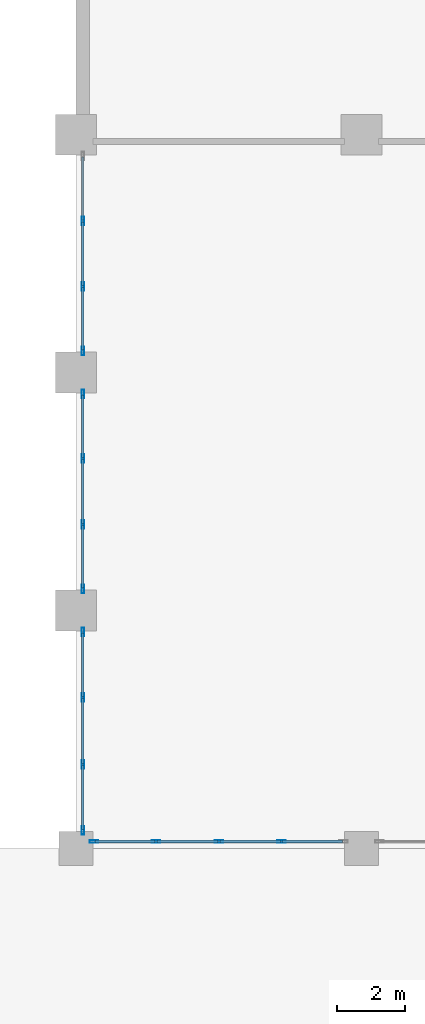
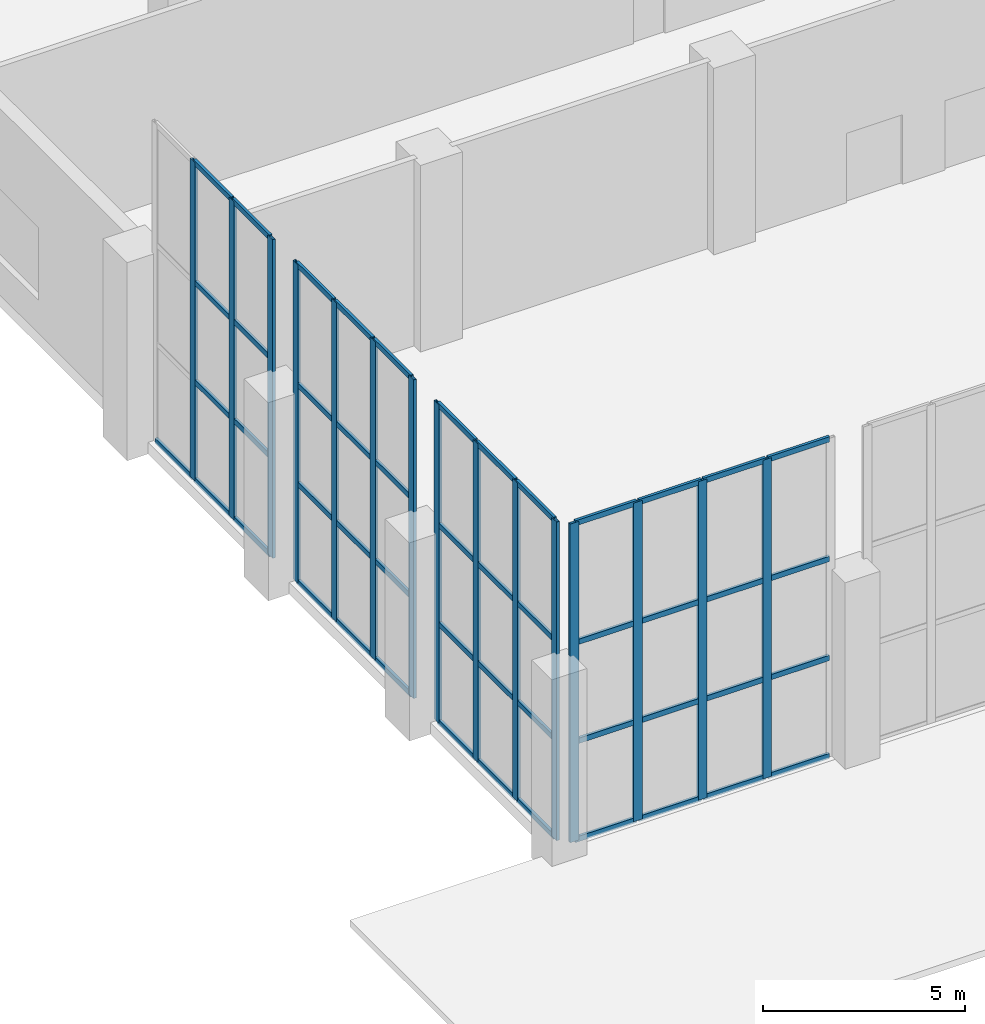
# One storey, part 3 of 25: 64 members, 4 elements without a shape of their own.
"""IFC4 building model written with IfcOpenShell, lengths in metres."""

from ifc_helpers import new_model, si_unit, direction, frame, origin, origin_2d, place, context, subcontext, project, spatial, hollow_rectangle, extrude, material, material_profile, profile_set, type_object, element, aggregate, save


model = new_model("IFC4")

# Units and contexts
model_context = context("Model", 3, precision=1e-05, world=origin(), true_north=direction((0.0, 1.0)))
body_context = subcontext(model_context, "Body", "Model", "MODEL_VIEW")
ifc_project = project(units=[si_unit("LENGTHUNIT", "METRE"), si_unit("AREAUNIT", "SQUARE_METRE"), si_unit("VOLUMEUNIT", "CUBIC_METRE"), si_unit("PLANEANGLEUNIT", "RADIAN"), si_unit("MASSUNIT", "GRAM", prefix="KILO")], contexts=[model_context])

# Site, building, storey
site_placement = place(None, origin())
site = spatial("IfcSite", under=ifc_project, at=site_placement, CompositionType="ELEMENT")
building_placement = place(site_placement, origin())
building = spatial("IfcBuilding", under=site, at=building_placement, Name="Ostrander Bayou Hotel Tower", CompositionType="ELEMENT")
storey_placement = place(building_placement, origin())
storey = spatial("IfcBuildingStorey", under=building, at=storey_placement, Name="L00", CompositionType="ELEMENT", Elevation=0.0)

# Curtain wall, members
ifc_material_1 = material(Name="Aluminium and clear glass", Category="aluminium")
curtain_wall_type = type_object("IfcCurtainWallType", Name="CW-BALL glazed wall", PredefinedType="NOTDEFINED", material=ifc_material_1)
curtain_wall_1_placement = place(storey_placement, origin())
curtain_wall_1 = element("IfcCurtainWall", 1, at=curtain_wall_1_placement, inside=storey, type_object=curtain_wall_type, Name="CW-BALL L00:8", PredefinedType="NOTDEFINED")
ifc_material_2 = material(Name="Aluminium", Category="aluminium")
ifc_material_profile_1 = material_profile(ifc_material_2, hollow_rectangle(XDim=0.080078125, YDim=0.25, WallThickness=0.00390625, at=origin_2d()))
ifc_profile_set_1 = profile_set([ifc_material_profile_1], Name="Aluminium")
member_type_1 = type_object("IfcMemberType", Name="CW-BL mullion 80 x 250 mm", PredefinedType="MULLION", material=ifc_profile_set_1)
member_1_placement = place(storey_placement, frame((-35.949951171875, -50.199951171875, 0.0), z_axis=(0.0, 0.0, 1.0), x_axis=(0.0, -1.0, 0.0)))
member_1 = element("IfcMember", 2, at=member_1_placement, type_object=member_type_1, Name="CW-BALL mullion 2", PredefinedType="MULLION", context=body_context, shape_type="SweptSolid", body=[
    extrude(hollow_rectangle(XDim=0.080078125, YDim=0.25, WallThickness=0.00390625, at=origin_2d()), origin(), (0.0, 0.0, 1.0), 9.64990234375),
])
member_2_placement = place(storey_placement, frame((-37.800048828125, -50.199951171875, 0.0), z_axis=(0.0, 0.0, 1.0), x_axis=(0.0, -1.0, 0.0)))
member_2 = element("IfcMember", 3, at=member_2_placement, type_object=member_type_1, Name="CW-BALL mullion 3", PredefinedType="MULLION", context=body_context, shape_type="SweptSolid", body=[
    extrude(hollow_rectangle(XDim=0.080078125, YDim=0.25, WallThickness=0.00390625, at=origin_2d()), origin(), (0.0, 0.0, 1.0), 9.64990234375),
])
member_3_placement = place(storey_placement, frame((-39.64990234375, -50.199951171875, 0.0), z_axis=(0.0, 0.0, 1.0), x_axis=(0.0, -1.0, 0.0)))
member_3 = element("IfcMember", 4, at=member_3_placement, type_object=member_type_1, Name="CW-BALL mullion 4", PredefinedType="MULLION", context=body_context, shape_type="SweptSolid", body=[
    extrude(hollow_rectangle(XDim=0.080078125, YDim=0.25, WallThickness=0.00390625, at=origin_2d()), origin(), (0.0, 0.0, 1.0), 9.64990234375),
])
member_4_placement = place(storey_placement, frame((-41.469970703125, -50.199951171875, 0.0), z_axis=(0.0, 0.0, 1.0), x_axis=(0.0, -1.0, 0.0)))
member_4 = element("IfcMember", 5, at=member_4_placement, type_object=member_type_1, Name="CW-BALL mullion 5", PredefinedType="MULLION", context=body_context, shape_type="SweptSolid", body=[
    extrude(hollow_rectangle(XDim=0.080078125, YDim=0.25, WallThickness=0.00390625, at=origin_2d()), origin(), (0.0, 0.0, 1.0), 9.64990234375),
])

curtain_wall_2_placement = place(storey_placement, origin())
curtain_wall_2 = element("IfcCurtainWall", 6, at=curtain_wall_2_placement, inside=storey, type_object=curtain_wall_type, Name="CW-BALL L00:29", PredefinedType="NOTDEFINED")
member_5_placement = place(storey_placement, frame((-41.800048828125, -49.8701171875, 0.0), z_axis=(0.0, 0.0, 1.0), x_axis=(-1.0, 0.0, 0.0)))
member_5 = element("IfcMember", 7, at=member_5_placement, type_object=member_type_1, Name="CW-BALL mullion 1", PredefinedType="MULLION", context=body_context, shape_type="SweptSolid", body=[
    extrude(hollow_rectangle(XDim=0.080078125, YDim=0.25, WallThickness=0.00390625, at=origin_2d()), origin(), (0.0, 0.0, 1.0), 9.64990234375),
])
member_6_placement = place(storey_placement, frame((-41.800048828125, -47.933349609375, 0.0), z_axis=(0.0, 0.0, 1.0), x_axis=(-1.0, 0.0, 0.0)))
member_6 = element("IfcMember", 8, at=member_6_placement, type_object=member_type_1, Name="CW-BALL mullion 2", PredefinedType="MULLION", context=body_context, shape_type="SweptSolid", body=[
    extrude(hollow_rectangle(XDim=0.080078125, YDim=0.25, WallThickness=0.00390625, at=origin_2d()), origin(), (0.0, 0.0, 1.0), 9.64990234375),
])
member_7_placement = place(storey_placement, frame((-41.800048828125, -45.966552734375, 0.0), z_axis=(0.0, 0.0, 1.0), x_axis=(-1.0, 0.0, 0.0)))
member_7 = element("IfcMember", 9, at=member_7_placement, type_object=member_type_1, Name="CW-BALL mullion 3", PredefinedType="MULLION", context=body_context, shape_type="SweptSolid", body=[
    extrude(hollow_rectangle(XDim=0.080078125, YDim=0.25, WallThickness=0.00390625, at=origin_2d()), origin(), (0.0, 0.0, 1.0), 9.64990234375),
])
member_8_placement = place(storey_placement, frame((-41.800048828125, -44.030029296875, 0.0), z_axis=(0.0, 0.0, 1.0), x_axis=(-1.0, 0.0, 0.0)))
member_8 = element("IfcMember", 10, at=member_8_placement, type_object=member_type_1, Name="CW-BALL mullion 4", PredefinedType="MULLION", context=body_context, shape_type="SweptSolid", body=[
    extrude(hollow_rectangle(XDim=0.080078125, YDim=0.25, WallThickness=0.00390625, at=origin_2d()), origin(), (0.0, 0.0, 1.0), 9.64990234375),
])

curtain_wall_3_placement = place(storey_placement, origin())
curtain_wall_3 = element("IfcCurtainWall", 11, at=curtain_wall_3_placement, inside=storey, type_object=curtain_wall_type, Name="CW-BALL L00:30", PredefinedType="NOTDEFINED")
member_9_placement = place(storey_placement, frame((-41.800048828125, -42.77001953125, 0.0), z_axis=(0.0, 0.0, 1.0), x_axis=(-1.0, 0.0, 0.0)))
member_9 = element("IfcMember", 12, at=member_9_placement, type_object=member_type_1, Name="CW-BALL mullion 1", PredefinedType="MULLION", context=body_context, shape_type="SweptSolid", body=[
    extrude(hollow_rectangle(XDim=0.080078125, YDim=0.25, WallThickness=0.00390625, at=origin_2d()), origin(), (0.0, 0.0, 1.0), 9.64990234375),
])
member_10_placement = place(storey_placement, frame((-41.800048828125, -40.86669921875, 0.0), z_axis=(0.0, 0.0, 1.0), x_axis=(-1.0, 0.0, 0.0)))
member_10 = element("IfcMember", 13, at=member_10_placement, type_object=member_type_1, Name="CW-BALL mullion 2", PredefinedType="MULLION", context=body_context, shape_type="SweptSolid", body=[
    extrude(hollow_rectangle(XDim=0.080078125, YDim=0.25, WallThickness=0.00390625, at=origin_2d()), origin(), (0.0, 0.0, 1.0), 9.64990234375),
])
member_11_placement = place(storey_placement, frame((-41.800048828125, -38.933349609375, 0.0), z_axis=(0.0, 0.0, 1.0), x_axis=(-1.0, 0.0, 0.0)))
member_11 = element("IfcMember", 14, at=member_11_placement, type_object=member_type_1, Name="CW-BALL mullion 3", PredefinedType="MULLION", context=body_context, shape_type="SweptSolid", body=[
    extrude(hollow_rectangle(XDim=0.080078125, YDim=0.25, WallThickness=0.00390625, at=origin_2d()), origin(), (0.0, 0.0, 1.0), 9.64990234375),
])
member_12_placement = place(storey_placement, frame((-41.800048828125, -37.030029296875, 0.0), z_axis=(0.0, 0.0, 1.0), x_axis=(-1.0, 0.0, 0.0)))
member_12 = element("IfcMember", 15, at=member_12_placement, type_object=member_type_1, Name="CW-BALL mullion 4", PredefinedType="MULLION", context=body_context, shape_type="SweptSolid", body=[
    extrude(hollow_rectangle(XDim=0.080078125, YDim=0.25, WallThickness=0.00390625, at=origin_2d()), origin(), (0.0, 0.0, 1.0), 9.64990234375),
])

curtain_wall_4_placement = place(storey_placement, origin())
curtain_wall_4 = element("IfcCurtainWall", 16, at=curtain_wall_4_placement, inside=storey, type_object=curtain_wall_type, Name="CW-BALL L00:31", PredefinedType="NOTDEFINED")
member_13_placement = place(storey_placement, frame((-41.800048828125, -35.77001953125, 0.0), z_axis=(0.0, 0.0, 1.0), x_axis=(-1.0, 0.0, 0.0)))
member_13 = element("IfcMember", 17, at=member_13_placement, type_object=member_type_1, Name="CW-BALL mullion 1", PredefinedType="MULLION", context=body_context, shape_type="SweptSolid", body=[
    extrude(hollow_rectangle(XDim=0.080078125, YDim=0.25, WallThickness=0.00390625, at=origin_2d()), origin(), (0.0, 0.0, 1.0), 9.64990234375),
])
member_14_placement = place(storey_placement, frame((-41.800048828125, -33.86669921875, 0.0), z_axis=(0.0, 0.0, 1.0), x_axis=(-1.0, 0.0, 0.0)))
member_14 = element("IfcMember", 18, at=member_14_placement, type_object=member_type_1, Name="CW-BALL mullion 2", PredefinedType="MULLION", context=body_context, shape_type="SweptSolid", body=[
    extrude(hollow_rectangle(XDim=0.080078125, YDim=0.25, WallThickness=0.00390625, at=origin_2d()), origin(), (0.0, 0.0, 1.0), 9.64990234375),
])
member_15_placement = place(storey_placement, frame((-41.800048828125, -31.933349609375, 0.0), z_axis=(0.0, 0.0, 1.0), x_axis=(-1.0, 0.0, 0.0)))
member_15 = element("IfcMember", 19, at=member_15_placement, type_object=member_type_1, Name="CW-BALL mullion 3", PredefinedType="MULLION", context=body_context, shape_type="SweptSolid", body=[
    extrude(hollow_rectangle(XDim=0.080078125, YDim=0.25, WallThickness=0.00390625, at=origin_2d()), origin(), (0.0, 0.0, 1.0), 9.64990234375),
])

# Member
ifc_material_3 = material(Name="Aluminium", Category="aluminium")
ifc_material_profile_2 = material_profile(ifc_material_3, hollow_rectangle(XDim=0.080078125, YDim=0.159912109375, WallThickness=0.00390625, at=origin_2d()))
ifc_profile_set_2 = profile_set([ifc_material_profile_2], Name="Aluminium")
member_type_2 = type_object("IfcMemberType", Name="CW-BL transom 80 x 160 mm", PredefinedType="USERDEFINED", material=ifc_profile_set_2)
member_16_placement = place(storey_placement, frame((-34.159912109375, -50.199951171875, 0.030029296875), z_axis=(-1.0, 0.0, 0.0), x_axis=(0.0, -1.0, 0.0)))
member_16 = element("IfcMember", 20, at=member_16_placement, type_object=member_type_2, Name="CW-BALL transom 1.1", ObjectType="TRANSOM", PredefinedType="USERDEFINED", context=body_context, shape_type="SweptSolid", body=[
    extrude(hollow_rectangle(XDim=0.080078125, YDim=0.159912109375, WallThickness=0.00390625, at=origin_2d()), origin(), (0.0, 0.0, 1.0), 1.760009765625),
])

member_17_placement = place(storey_placement, frame((-34.159912109375, -50.199951171875, 3.0), z_axis=(-1.0, 0.0, 0.0), x_axis=(0.0, -1.0, 0.0)))
member_17 = element("IfcMember", 21, at=member_17_placement, type_object=member_type_2, Name="CW-BALL transom 1.2", ObjectType="TRANSOM", PredefinedType="USERDEFINED", context=body_context, shape_type="SweptSolid", body=[
    extrude(hollow_rectangle(XDim=0.080078125, YDim=0.159912109375, WallThickness=0.00390625, at=origin_2d()), origin(), (0.0, 0.0, 1.0), 1.760009765625),
])

member_18_placement = place(storey_placement, frame((-34.159912109375, -50.199951171875, 6.0), z_axis=(-1.0, 0.0, 0.0), x_axis=(0.0, -1.0, 0.0)))
member_18 = element("IfcMember", 22, at=member_18_placement, type_object=member_type_2, Name="CW-BALL transom 1.3", ObjectType="TRANSOM", PredefinedType="USERDEFINED", context=body_context, shape_type="SweptSolid", body=[
    extrude(hollow_rectangle(XDim=0.080078125, YDim=0.159912109375, WallThickness=0.00390625, at=origin_2d()), origin(), (0.0, 0.0, 1.0), 1.760009765625),
])

member_19_placement = place(storey_placement, frame((-34.159912109375, -50.199951171875, 9.6201171875), z_axis=(-1.0, 0.0, 0.0), x_axis=(0.0, -1.0, 0.0)))
member_19 = element("IfcMember", 23, at=member_19_placement, type_object=member_type_2, Name="CW-BALL transom 1.4", ObjectType="TRANSOM", PredefinedType="USERDEFINED", context=body_context, shape_type="SweptSolid", body=[
    extrude(hollow_rectangle(XDim=0.080078125, YDim=0.159912109375, WallThickness=0.00390625, at=origin_2d()), origin(), (0.0, 0.0, 1.0), 1.760009765625),
])

member_20_placement = place(storey_placement, frame((-35.97998046875, -50.199951171875, 0.030029296875), z_axis=(-1.0, 0.0, 0.0), x_axis=(0.0, -1.0, 0.0)))
member_20 = element("IfcMember", 24, at=member_20_placement, type_object=member_type_2, Name="CW-BALL transom 2.1", ObjectType="TRANSOM", PredefinedType="USERDEFINED", context=body_context, shape_type="SweptSolid", body=[
    extrude(hollow_rectangle(XDim=0.080078125, YDim=0.159912109375, WallThickness=0.00390625, at=origin_2d()), origin(), (0.0, 0.0, 1.0), 1.7900390625),
])

member_21_placement = place(storey_placement, frame((-35.97998046875, -50.199951171875, 3.0), z_axis=(-1.0, 0.0, 0.0), x_axis=(0.0, -1.0, 0.0)))
member_21 = element("IfcMember", 25, at=member_21_placement, type_object=member_type_2, Name="CW-BALL transom 2.2", ObjectType="TRANSOM", PredefinedType="USERDEFINED", context=body_context, shape_type="SweptSolid", body=[
    extrude(hollow_rectangle(XDim=0.080078125, YDim=0.159912109375, WallThickness=0.00390625, at=origin_2d()), origin(), (0.0, 0.0, 1.0), 1.7900390625),
])

member_22_placement = place(storey_placement, frame((-35.97998046875, -50.199951171875, 6.0), z_axis=(-1.0, 0.0, 0.0), x_axis=(0.0, -1.0, 0.0)))
member_22 = element("IfcMember", 26, at=member_22_placement, type_object=member_type_2, Name="CW-BALL transom 2.3", ObjectType="TRANSOM", PredefinedType="USERDEFINED", context=body_context, shape_type="SweptSolid", body=[
    extrude(hollow_rectangle(XDim=0.080078125, YDim=0.159912109375, WallThickness=0.00390625, at=origin_2d()), origin(), (0.0, 0.0, 1.0), 1.7900390625),
])

member_23_placement = place(storey_placement, frame((-35.97998046875, -50.199951171875, 9.6201171875), z_axis=(-1.0, 0.0, 0.0), x_axis=(0.0, -1.0, 0.0)))
member_23 = element("IfcMember", 27, at=member_23_placement, type_object=member_type_2, Name="CW-BALL transom 2.4", ObjectType="TRANSOM", PredefinedType="USERDEFINED", context=body_context, shape_type="SweptSolid", body=[
    extrude(hollow_rectangle(XDim=0.080078125, YDim=0.159912109375, WallThickness=0.00390625, at=origin_2d()), origin(), (0.0, 0.0, 1.0), 1.7900390625),
])

member_24_placement = place(storey_placement, frame((-37.830078125, -50.199951171875, 0.030029296875), z_axis=(-1.0, 0.0, 0.0), x_axis=(0.0, -1.0, 0.0)))
member_24 = element("IfcMember", 28, at=member_24_placement, type_object=member_type_2, Name="CW-BALL transom 3.1", ObjectType="TRANSOM", PredefinedType="USERDEFINED", context=body_context, shape_type="SweptSolid", body=[
    extrude(hollow_rectangle(XDim=0.080078125, YDim=0.159912109375, WallThickness=0.00390625, at=origin_2d()), origin(), (0.0, 0.0, 1.0), 1.7900390625),
])

member_25_placement = place(storey_placement, frame((-37.830078125, -50.199951171875, 3.0), z_axis=(-1.0, 0.0, 0.0), x_axis=(0.0, -1.0, 0.0)))
member_25 = element("IfcMember", 29, at=member_25_placement, type_object=member_type_2, Name="CW-BALL transom 3.2", ObjectType="TRANSOM", PredefinedType="USERDEFINED", context=body_context, shape_type="SweptSolid", body=[
    extrude(hollow_rectangle(XDim=0.080078125, YDim=0.159912109375, WallThickness=0.00390625, at=origin_2d()), origin(), (0.0, 0.0, 1.0), 1.7900390625),
])

member_26_placement = place(storey_placement, frame((-37.830078125, -50.199951171875, 6.0), z_axis=(-1.0, 0.0, 0.0), x_axis=(0.0, -1.0, 0.0)))
member_26 = element("IfcMember", 30, at=member_26_placement, type_object=member_type_2, Name="CW-BALL transom 3.3", ObjectType="TRANSOM", PredefinedType="USERDEFINED", context=body_context, shape_type="SweptSolid", body=[
    extrude(hollow_rectangle(XDim=0.080078125, YDim=0.159912109375, WallThickness=0.00390625, at=origin_2d()), origin(), (0.0, 0.0, 1.0), 1.7900390625),
])

member_27_placement = place(storey_placement, frame((-37.830078125, -50.199951171875, 9.6201171875), z_axis=(-1.0, 0.0, 0.0), x_axis=(0.0, -1.0, 0.0)))
member_27 = element("IfcMember", 31, at=member_27_placement, type_object=member_type_2, Name="CW-BALL transom 3.4", ObjectType="TRANSOM", PredefinedType="USERDEFINED", context=body_context, shape_type="SweptSolid", body=[
    extrude(hollow_rectangle(XDim=0.080078125, YDim=0.159912109375, WallThickness=0.00390625, at=origin_2d()), origin(), (0.0, 0.0, 1.0), 1.7900390625),
])

member_28_placement = place(storey_placement, frame((-39.679931640625, -50.199951171875, 0.030029296875), z_axis=(-1.0, 0.0, 0.0), x_axis=(0.0, -1.0, 0.0)))
member_28 = element("IfcMember", 32, at=member_28_placement, type_object=member_type_2, Name="CW-BALL transom 4.1", ObjectType="TRANSOM", PredefinedType="USERDEFINED", context=body_context, shape_type="SweptSolid", body=[
    extrude(hollow_rectangle(XDim=0.080078125, YDim=0.159912109375, WallThickness=0.00390625, at=origin_2d()), origin(), (0.0, 0.0, 1.0), 1.760009765625),
])

member_29_placement = place(storey_placement, frame((-39.679931640625, -50.199951171875, 3.0), z_axis=(-1.0, 0.0, 0.0), x_axis=(0.0, -1.0, 0.0)))
member_29 = element("IfcMember", 33, at=member_29_placement, type_object=member_type_2, Name="CW-BALL transom 4.2", ObjectType="TRANSOM", PredefinedType="USERDEFINED", context=body_context, shape_type="SweptSolid", body=[
    extrude(hollow_rectangle(XDim=0.080078125, YDim=0.159912109375, WallThickness=0.00390625, at=origin_2d()), origin(), (0.0, 0.0, 1.0), 1.760009765625),
])

member_30_placement = place(storey_placement, frame((-39.679931640625, -50.199951171875, 6.0), z_axis=(-1.0, 0.0, 0.0), x_axis=(0.0, -1.0, 0.0)))
member_30 = element("IfcMember", 34, at=member_30_placement, type_object=member_type_2, Name="CW-BALL transom 4.3", ObjectType="TRANSOM", PredefinedType="USERDEFINED", context=body_context, shape_type="SweptSolid", body=[
    extrude(hollow_rectangle(XDim=0.080078125, YDim=0.159912109375, WallThickness=0.00390625, at=origin_2d()), origin(), (0.0, 0.0, 1.0), 1.760009765625),
])

member_31_placement = place(storey_placement, frame((-39.679931640625, -50.199951171875, 9.6201171875), z_axis=(-1.0, 0.0, 0.0), x_axis=(0.0, -1.0, 0.0)))
member_31 = element("IfcMember", 35, at=member_31_placement, type_object=member_type_2, Name="CW-BALL transom 4.4", ObjectType="TRANSOM", PredefinedType="USERDEFINED", context=body_context, shape_type="SweptSolid", body=[
    extrude(hollow_rectangle(XDim=0.080078125, YDim=0.159912109375, WallThickness=0.00390625, at=origin_2d()), origin(), (0.0, 0.0, 1.0), 1.760009765625),
])

aggregate(curtain_wall_1, [member_1, member_2, member_3, member_4, member_16, member_17, member_18, member_19, member_20, member_21, member_22, member_23, member_24, member_25, member_26, member_27, member_28, member_29, member_30, member_31])

member_32_placement = place(storey_placement, frame((-41.800048828125, -49.840087890625, 0.030029296875), z_axis=(0.0, 1.0, 0.0), x_axis=(-1.0, 0.0, 0.0)))
member_32 = element("IfcMember", 36, at=member_32_placement, type_object=member_type_2, Name="CW-BALL transom 1.1", ObjectType="TRANSOM", PredefinedType="USERDEFINED", context=body_context, shape_type="SweptSolid", body=[
    extrude(hollow_rectangle(XDim=0.080078125, YDim=0.159912109375, WallThickness=0.00390625, at=origin_2d()), origin(), (0.0, 0.0, 1.0), 1.876708984375),
])

member_33_placement = place(storey_placement, frame((-41.800048828125, -49.840087890625, 3.0), z_axis=(0.0, 1.0, 0.0), x_axis=(-1.0, 0.0, 0.0)))
member_33 = element("IfcMember", 37, at=member_33_placement, type_object=member_type_2, Name="CW-BALL transom 1.2", ObjectType="TRANSOM", PredefinedType="USERDEFINED", context=body_context, shape_type="SweptSolid", body=[
    extrude(hollow_rectangle(XDim=0.080078125, YDim=0.159912109375, WallThickness=0.00390625, at=origin_2d()), origin(), (0.0, 0.0, 1.0), 1.876708984375),
])

member_34_placement = place(storey_placement, frame((-41.800048828125, -49.840087890625, 6.0), z_axis=(0.0, 1.0, 0.0), x_axis=(-1.0, 0.0, 0.0)))
member_34 = element("IfcMember", 38, at=member_34_placement, type_object=member_type_2, Name="CW-BALL transom 1.3", ObjectType="TRANSOM", PredefinedType="USERDEFINED", context=body_context, shape_type="SweptSolid", body=[
    extrude(hollow_rectangle(XDim=0.080078125, YDim=0.159912109375, WallThickness=0.00390625, at=origin_2d()), origin(), (0.0, 0.0, 1.0), 1.876708984375),
])

member_35_placement = place(storey_placement, frame((-41.800048828125, -49.840087890625, 9.6201171875), z_axis=(0.0, 1.0, 0.0), x_axis=(-1.0, 0.0, 0.0)))
member_35 = element("IfcMember", 39, at=member_35_placement, type_object=member_type_2, Name="CW-BALL transom 1.4", ObjectType="TRANSOM", PredefinedType="USERDEFINED", context=body_context, shape_type="SweptSolid", body=[
    extrude(hollow_rectangle(XDim=0.080078125, YDim=0.159912109375, WallThickness=0.00390625, at=origin_2d()), origin(), (0.0, 0.0, 1.0), 1.876708984375),
])

member_36_placement = place(storey_placement, frame((-41.800048828125, -47.9033203125, 0.030029296875), z_axis=(0.0, 1.0, 0.0), x_axis=(-1.0, 0.0, 0.0)))
member_36 = element("IfcMember", 40, at=member_36_placement, type_object=member_type_2, Name="CW-BALL transom 2.1", ObjectType="TRANSOM", PredefinedType="USERDEFINED", context=body_context, shape_type="SweptSolid", body=[
    extrude(hollow_rectangle(XDim=0.080078125, YDim=0.159912109375, WallThickness=0.00390625, at=origin_2d()), origin(), (0.0, 0.0, 1.0), 1.90673828125),
])

member_37_placement = place(storey_placement, frame((-41.800048828125, -47.9033203125, 3.0), z_axis=(0.0, 1.0, 0.0), x_axis=(-1.0, 0.0, 0.0)))
member_37 = element("IfcMember", 41, at=member_37_placement, type_object=member_type_2, Name="CW-BALL transom 2.2", ObjectType="TRANSOM", PredefinedType="USERDEFINED", context=body_context, shape_type="SweptSolid", body=[
    extrude(hollow_rectangle(XDim=0.080078125, YDim=0.159912109375, WallThickness=0.00390625, at=origin_2d()), origin(), (0.0, 0.0, 1.0), 1.90673828125),
])

member_38_placement = place(storey_placement, frame((-41.800048828125, -47.9033203125, 6.0), z_axis=(0.0, 1.0, 0.0), x_axis=(-1.0, 0.0, 0.0)))
member_38 = element("IfcMember", 42, at=member_38_placement, type_object=member_type_2, Name="CW-BALL transom 2.3", ObjectType="TRANSOM", PredefinedType="USERDEFINED", context=body_context, shape_type="SweptSolid", body=[
    extrude(hollow_rectangle(XDim=0.080078125, YDim=0.159912109375, WallThickness=0.00390625, at=origin_2d()), origin(), (0.0, 0.0, 1.0), 1.90673828125),
])

member_39_placement = place(storey_placement, frame((-41.800048828125, -47.9033203125, 9.6201171875), z_axis=(0.0, 1.0, 0.0), x_axis=(-1.0, 0.0, 0.0)))
member_39 = element("IfcMember", 43, at=member_39_placement, type_object=member_type_2, Name="CW-BALL transom 2.4", ObjectType="TRANSOM", PredefinedType="USERDEFINED", context=body_context, shape_type="SweptSolid", body=[
    extrude(hollow_rectangle(XDim=0.080078125, YDim=0.159912109375, WallThickness=0.00390625, at=origin_2d()), origin(), (0.0, 0.0, 1.0), 1.90673828125),
])

member_40_placement = place(storey_placement, frame((-41.800048828125, -45.936767578125, 0.030029296875), z_axis=(0.0, 1.0, 0.0), x_axis=(-1.0, 0.0, 0.0)))
member_40 = element("IfcMember", 44, at=member_40_placement, type_object=member_type_2, Name="CW-BALL transom 3.1", ObjectType="TRANSOM", PredefinedType="USERDEFINED", context=body_context, shape_type="SweptSolid", body=[
    extrude(hollow_rectangle(XDim=0.080078125, YDim=0.159912109375, WallThickness=0.00390625, at=origin_2d()), origin(), (0.0, 0.0, 1.0), 1.876708984375),
])

member_41_placement = place(storey_placement, frame((-41.800048828125, -45.936767578125, 3.0), z_axis=(0.0, 1.0, 0.0), x_axis=(-1.0, 0.0, 0.0)))
member_41 = element("IfcMember", 45, at=member_41_placement, type_object=member_type_2, Name="CW-BALL transom 3.2", ObjectType="TRANSOM", PredefinedType="USERDEFINED", context=body_context, shape_type="SweptSolid", body=[
    extrude(hollow_rectangle(XDim=0.080078125, YDim=0.159912109375, WallThickness=0.00390625, at=origin_2d()), origin(), (0.0, 0.0, 1.0), 1.876708984375),
])

member_42_placement = place(storey_placement, frame((-41.800048828125, -45.936767578125, 6.0), z_axis=(0.0, 1.0, 0.0), x_axis=(-1.0, 0.0, 0.0)))
member_42 = element("IfcMember", 46, at=member_42_placement, type_object=member_type_2, Name="CW-BALL transom 3.3", ObjectType="TRANSOM", PredefinedType="USERDEFINED", context=body_context, shape_type="SweptSolid", body=[
    extrude(hollow_rectangle(XDim=0.080078125, YDim=0.159912109375, WallThickness=0.00390625, at=origin_2d()), origin(), (0.0, 0.0, 1.0), 1.876708984375),
])

member_43_placement = place(storey_placement, frame((-41.800048828125, -45.936767578125, 9.6201171875), z_axis=(0.0, 1.0, 0.0), x_axis=(-1.0, 0.0, 0.0)))
member_43 = element("IfcMember", 47, at=member_43_placement, type_object=member_type_2, Name="CW-BALL transom 3.4", ObjectType="TRANSOM", PredefinedType="USERDEFINED", context=body_context, shape_type="SweptSolid", body=[
    extrude(hollow_rectangle(XDim=0.080078125, YDim=0.159912109375, WallThickness=0.00390625, at=origin_2d()), origin(), (0.0, 0.0, 1.0), 1.876708984375),
])

aggregate(curtain_wall_2, [member_5, member_6, member_7, member_8, member_32, member_33, member_34, member_35, member_36, member_37, member_38, member_39, member_40, member_41, member_42, member_43])

member_44_placement = place(storey_placement, frame((-41.800048828125, -42.739990234375, 0.030029296875), z_axis=(0.0, 1.0, 0.0), x_axis=(-1.0, 0.0, 0.0)))
member_44 = element("IfcMember", 48, at=member_44_placement, type_object=member_type_2, Name="CW-BALL transom 1.1", ObjectType="TRANSOM", PredefinedType="USERDEFINED", context=body_context, shape_type="SweptSolid", body=[
    extrude(hollow_rectangle(XDim=0.080078125, YDim=0.159912109375, WallThickness=0.00390625, at=origin_2d()), origin(), (0.0, 0.0, 1.0), 1.84326171875),
])

member_45_placement = place(storey_placement, frame((-41.800048828125, -42.739990234375, 3.0), z_axis=(0.0, 1.0, 0.0), x_axis=(-1.0, 0.0, 0.0)))
member_45 = element("IfcMember", 49, at=member_45_placement, type_object=member_type_2, Name="CW-BALL transom 1.2", ObjectType="TRANSOM", PredefinedType="USERDEFINED", context=body_context, shape_type="SweptSolid", body=[
    extrude(hollow_rectangle(XDim=0.080078125, YDim=0.159912109375, WallThickness=0.00390625, at=origin_2d()), origin(), (0.0, 0.0, 1.0), 1.84326171875),
])

member_46_placement = place(storey_placement, frame((-41.800048828125, -42.739990234375, 6.0), z_axis=(0.0, 1.0, 0.0), x_axis=(-1.0, 0.0, 0.0)))
member_46 = element("IfcMember", 50, at=member_46_placement, type_object=member_type_2, Name="CW-BALL transom 1.3", ObjectType="TRANSOM", PredefinedType="USERDEFINED", context=body_context, shape_type="SweptSolid", body=[
    extrude(hollow_rectangle(XDim=0.080078125, YDim=0.159912109375, WallThickness=0.00390625, at=origin_2d()), origin(), (0.0, 0.0, 1.0), 1.84326171875),
])

member_47_placement = place(storey_placement, frame((-41.800048828125, -42.739990234375, 9.6201171875), z_axis=(0.0, 1.0, 0.0), x_axis=(-1.0, 0.0, 0.0)))
member_47 = element("IfcMember", 51, at=member_47_placement, type_object=member_type_2, Name="CW-BALL transom 1.4", ObjectType="TRANSOM", PredefinedType="USERDEFINED", context=body_context, shape_type="SweptSolid", body=[
    extrude(hollow_rectangle(XDim=0.080078125, YDim=0.159912109375, WallThickness=0.00390625, at=origin_2d()), origin(), (0.0, 0.0, 1.0), 1.84326171875),
])

member_48_placement = place(storey_placement, frame((-41.800048828125, -40.836669921875, 0.030029296875), z_axis=(0.0, 1.0, 0.0), x_axis=(-1.0, 0.0, 0.0)))
member_48 = element("IfcMember", 52, at=member_48_placement, type_object=member_type_2, Name="CW-BALL transom 2.1", ObjectType="TRANSOM", PredefinedType="USERDEFINED", context=body_context, shape_type="SweptSolid", body=[
    extrude(hollow_rectangle(XDim=0.080078125, YDim=0.159912109375, WallThickness=0.00390625, at=origin_2d()), origin(), (0.0, 0.0, 1.0), 1.873291015625),
])

member_49_placement = place(storey_placement, frame((-41.800048828125, -40.836669921875, 3.0), z_axis=(0.0, 1.0, 0.0), x_axis=(-1.0, 0.0, 0.0)))
member_49 = element("IfcMember", 53, at=member_49_placement, type_object=member_type_2, Name="CW-BALL transom 2.2", ObjectType="TRANSOM", PredefinedType="USERDEFINED", context=body_context, shape_type="SweptSolid", body=[
    extrude(hollow_rectangle(XDim=0.080078125, YDim=0.159912109375, WallThickness=0.00390625, at=origin_2d()), origin(), (0.0, 0.0, 1.0), 1.873291015625),
])

member_50_placement = place(storey_placement, frame((-41.800048828125, -40.836669921875, 6.0), z_axis=(0.0, 1.0, 0.0), x_axis=(-1.0, 0.0, 0.0)))
member_50 = element("IfcMember", 54, at=member_50_placement, type_object=member_type_2, Name="CW-BALL transom 2.3", ObjectType="TRANSOM", PredefinedType="USERDEFINED", context=body_context, shape_type="SweptSolid", body=[
    extrude(hollow_rectangle(XDim=0.080078125, YDim=0.159912109375, WallThickness=0.00390625, at=origin_2d()), origin(), (0.0, 0.0, 1.0), 1.873291015625),
])

member_51_placement = place(storey_placement, frame((-41.800048828125, -40.836669921875, 9.6201171875), z_axis=(0.0, 1.0, 0.0), x_axis=(-1.0, 0.0, 0.0)))
member_51 = element("IfcMember", 55, at=member_51_placement, type_object=member_type_2, Name="CW-BALL transom 2.4", ObjectType="TRANSOM", PredefinedType="USERDEFINED", context=body_context, shape_type="SweptSolid", body=[
    extrude(hollow_rectangle(XDim=0.080078125, YDim=0.159912109375, WallThickness=0.00390625, at=origin_2d()), origin(), (0.0, 0.0, 1.0), 1.873291015625),
])

member_52_placement = place(storey_placement, frame((-41.800048828125, -38.9033203125, 0.030029296875), z_axis=(0.0, 1.0, 0.0), x_axis=(-1.0, 0.0, 0.0)))
member_52 = element("IfcMember", 56, at=member_52_placement, type_object=member_type_2, Name="CW-BALL transom 3.1", ObjectType="TRANSOM", PredefinedType="USERDEFINED", context=body_context, shape_type="SweptSolid", body=[
    extrude(hollow_rectangle(XDim=0.080078125, YDim=0.159912109375, WallThickness=0.00390625, at=origin_2d()), origin(), (0.0, 0.0, 1.0), 1.84326171875),
])

member_53_placement = place(storey_placement, frame((-41.800048828125, -38.9033203125, 3.0), z_axis=(0.0, 1.0, 0.0), x_axis=(-1.0, 0.0, 0.0)))
member_53 = element("IfcMember", 57, at=member_53_placement, type_object=member_type_2, Name="CW-BALL transom 3.2", ObjectType="TRANSOM", PredefinedType="USERDEFINED", context=body_context, shape_type="SweptSolid", body=[
    extrude(hollow_rectangle(XDim=0.080078125, YDim=0.159912109375, WallThickness=0.00390625, at=origin_2d()), origin(), (0.0, 0.0, 1.0), 1.84326171875),
])

member_54_placement = place(storey_placement, frame((-41.800048828125, -38.9033203125, 6.0), z_axis=(0.0, 1.0, 0.0), x_axis=(-1.0, 0.0, 0.0)))
member_54 = element("IfcMember", 58, at=member_54_placement, type_object=member_type_2, Name="CW-BALL transom 3.3", ObjectType="TRANSOM", PredefinedType="USERDEFINED", context=body_context, shape_type="SweptSolid", body=[
    extrude(hollow_rectangle(XDim=0.080078125, YDim=0.159912109375, WallThickness=0.00390625, at=origin_2d()), origin(), (0.0, 0.0, 1.0), 1.84326171875),
])

member_55_placement = place(storey_placement, frame((-41.800048828125, -38.9033203125, 9.6201171875), z_axis=(0.0, 1.0, 0.0), x_axis=(-1.0, 0.0, 0.0)))
member_55 = element("IfcMember", 59, at=member_55_placement, type_object=member_type_2, Name="CW-BALL transom 3.4", ObjectType="TRANSOM", PredefinedType="USERDEFINED", context=body_context, shape_type="SweptSolid", body=[
    extrude(hollow_rectangle(XDim=0.080078125, YDim=0.159912109375, WallThickness=0.00390625, at=origin_2d()), origin(), (0.0, 0.0, 1.0), 1.84326171875),
])

aggregate(curtain_wall_3, [member_9, member_10, member_11, member_12, member_44, member_45, member_46, member_47, member_48, member_49, member_50, member_51, member_52, member_53, member_54, member_55])

member_56_placement = place(storey_placement, frame((-41.800048828125, -35.739990234375, 0.030029296875), z_axis=(0.0, 1.0, 0.0), x_axis=(-1.0, 0.0, 0.0)))
member_56 = element("IfcMember", 60, at=member_56_placement, type_object=member_type_2, Name="CW-BALL transom 1.1", ObjectType="TRANSOM", PredefinedType="USERDEFINED", context=body_context, shape_type="SweptSolid", body=[
    extrude(hollow_rectangle(XDim=0.080078125, YDim=0.159912109375, WallThickness=0.00390625, at=origin_2d()), origin(), (0.0, 0.0, 1.0), 1.84326171875),
])

member_57_placement = place(storey_placement, frame((-41.800048828125, -35.739990234375, 3.0), z_axis=(0.0, 1.0, 0.0), x_axis=(-1.0, 0.0, 0.0)))
member_57 = element("IfcMember", 61, at=member_57_placement, type_object=member_type_2, Name="CW-BALL transom 1.2", ObjectType="TRANSOM", PredefinedType="USERDEFINED", context=body_context, shape_type="SweptSolid", body=[
    extrude(hollow_rectangle(XDim=0.080078125, YDim=0.159912109375, WallThickness=0.00390625, at=origin_2d()), origin(), (0.0, 0.0, 1.0), 1.84326171875),
])

member_58_placement = place(storey_placement, frame((-41.800048828125, -35.739990234375, 6.0), z_axis=(0.0, 1.0, 0.0), x_axis=(-1.0, 0.0, 0.0)))
member_58 = element("IfcMember", 62, at=member_58_placement, type_object=member_type_2, Name="CW-BALL transom 1.3", ObjectType="TRANSOM", PredefinedType="USERDEFINED", context=body_context, shape_type="SweptSolid", body=[
    extrude(hollow_rectangle(XDim=0.080078125, YDim=0.159912109375, WallThickness=0.00390625, at=origin_2d()), origin(), (0.0, 0.0, 1.0), 1.84326171875),
])

member_59_placement = place(storey_placement, frame((-41.800048828125, -35.739990234375, 9.6201171875), z_axis=(0.0, 1.0, 0.0), x_axis=(-1.0, 0.0, 0.0)))
member_59 = element("IfcMember", 63, at=member_59_placement, type_object=member_type_2, Name="CW-BALL transom 1.4", ObjectType="TRANSOM", PredefinedType="USERDEFINED", context=body_context, shape_type="SweptSolid", body=[
    extrude(hollow_rectangle(XDim=0.080078125, YDim=0.159912109375, WallThickness=0.00390625, at=origin_2d()), origin(), (0.0, 0.0, 1.0), 1.84326171875),
])

member_60_placement = place(storey_placement, frame((-41.800048828125, -33.836669921875, 0.030029296875), z_axis=(0.0, 1.0, 0.0), x_axis=(-1.0, 0.0, 0.0)))
member_60 = element("IfcMember", 64, at=member_60_placement, type_object=member_type_2, Name="CW-BALL transom 2.1", ObjectType="TRANSOM", PredefinedType="USERDEFINED", context=body_context, shape_type="SweptSolid", body=[
    extrude(hollow_rectangle(XDim=0.080078125, YDim=0.159912109375, WallThickness=0.00390625, at=origin_2d()), origin(), (0.0, 0.0, 1.0), 1.873291015625),
])

member_61_placement = place(storey_placement, frame((-41.800048828125, -33.836669921875, 3.0), z_axis=(0.0, 1.0, 0.0), x_axis=(-1.0, 0.0, 0.0)))
member_61 = element("IfcMember", 65, at=member_61_placement, type_object=member_type_2, Name="CW-BALL transom 2.2", ObjectType="TRANSOM", PredefinedType="USERDEFINED", context=body_context, shape_type="SweptSolid", body=[
    extrude(hollow_rectangle(XDim=0.080078125, YDim=0.159912109375, WallThickness=0.00390625, at=origin_2d()), origin(), (0.0, 0.0, 1.0), 1.873291015625),
])

member_62_placement = place(storey_placement, frame((-41.800048828125, -33.836669921875, 6.0), z_axis=(0.0, 1.0, 0.0), x_axis=(-1.0, 0.0, 0.0)))
member_62 = element("IfcMember", 66, at=member_62_placement, type_object=member_type_2, Name="CW-BALL transom 2.3", ObjectType="TRANSOM", PredefinedType="USERDEFINED", context=body_context, shape_type="SweptSolid", body=[
    extrude(hollow_rectangle(XDim=0.080078125, YDim=0.159912109375, WallThickness=0.00390625, at=origin_2d()), origin(), (0.0, 0.0, 1.0), 1.873291015625),
])

member_63_placement = place(storey_placement, frame((-41.800048828125, -33.836669921875, 9.6201171875), z_axis=(0.0, 1.0, 0.0), x_axis=(-1.0, 0.0, 0.0)))
member_63 = element("IfcMember", 67, at=member_63_placement, type_object=member_type_2, Name="CW-BALL transom 2.4", ObjectType="TRANSOM", PredefinedType="USERDEFINED", context=body_context, shape_type="SweptSolid", body=[
    extrude(hollow_rectangle(XDim=0.080078125, YDim=0.159912109375, WallThickness=0.00390625, at=origin_2d()), origin(), (0.0, 0.0, 1.0), 1.873291015625),
])

member_64_placement = place(storey_placement, frame((-41.800048828125, -31.9033203125, 0.030029296875), z_axis=(0.0, 1.0, 0.0), x_axis=(-1.0, 0.0, 0.0)))
member_64 = element("IfcMember", 68, at=member_64_placement, type_object=member_type_2, Name="CW-BALL transom 3.1", ObjectType="TRANSOM", PredefinedType="USERDEFINED", context=body_context, shape_type="SweptSolid", body=[
    extrude(hollow_rectangle(XDim=0.080078125, YDim=0.159912109375, WallThickness=0.00390625, at=origin_2d()), origin(), (0.0, 0.0, 1.0), 1.84326171875),
])

aggregate(curtain_wall_4, [member_13, member_14, member_15, member_56, member_57, member_58, member_59, member_60, member_61, member_62, member_63, member_64])

save(model, "model.ifc")
